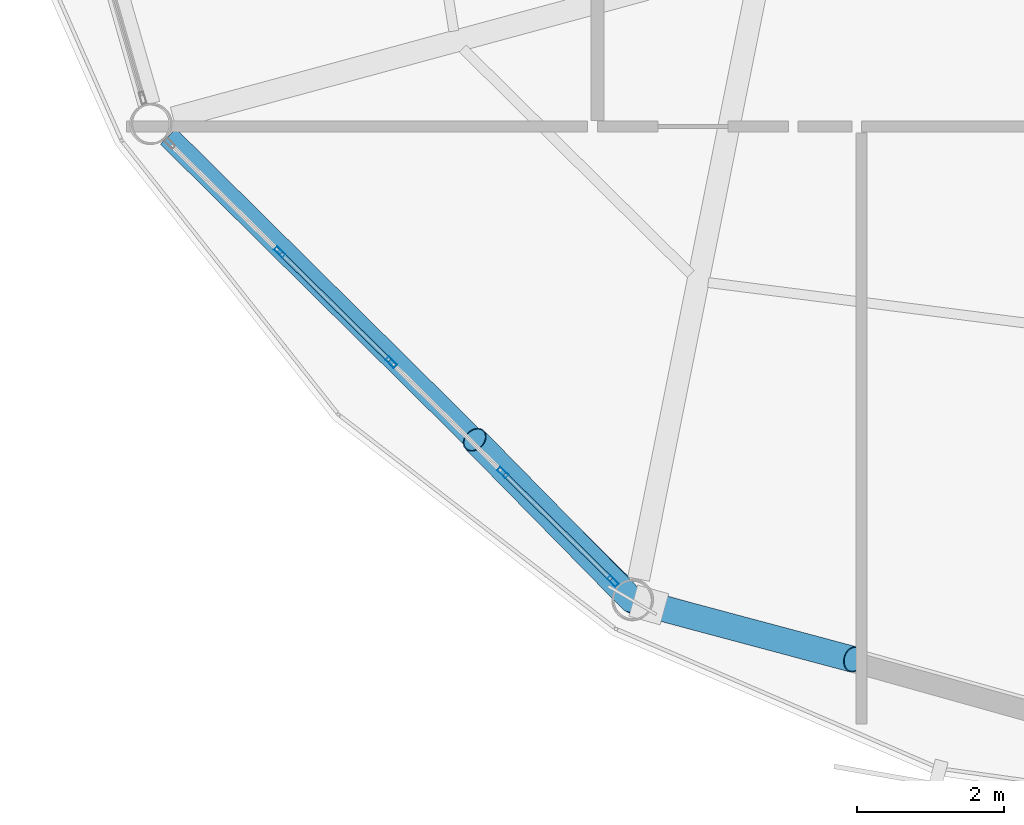
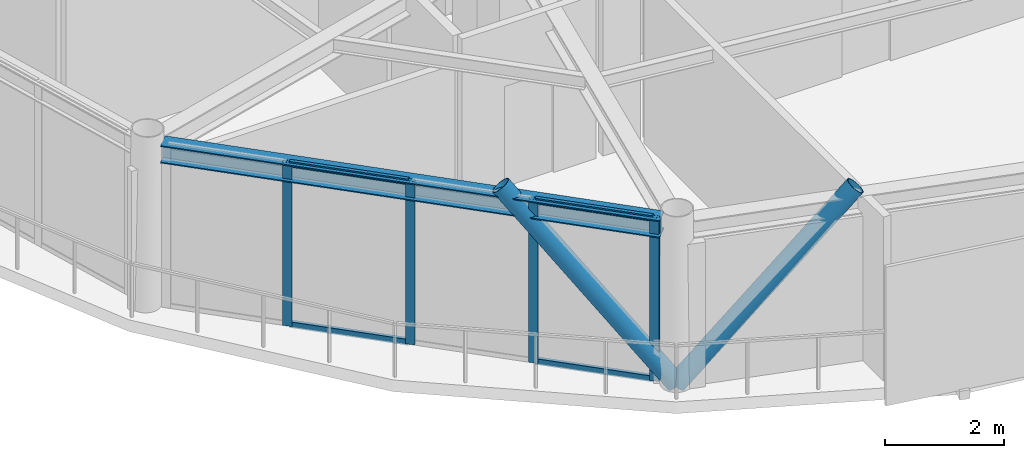
# One storey, part 2 of 26: 10 members, 1 beam, 1 element without a shape of its own.
"""IFC4 building model written with IfcOpenShell, lengths in metres."""

from ifc_helpers import new_model, si_unit, direction, frame, origin, origin_2d, place, context, subcontext, project, spatial, hollow_rectangle, hollow_circle, i_section, extrude, material, layer, layer_set, material_profile, profile_set, type_object, element, aggregate, save


model = new_model("IFC4")

# Units and contexts
model_context = context("Model", 3, precision=1e-05, world=origin(), true_north=direction((0.0, 1.0)))
body_context = subcontext(model_context, "Body", "Model", "MODEL_VIEW")
ifc_project = project(units=[si_unit("LENGTHUNIT", "METRE"), si_unit("AREAUNIT", "SQUARE_METRE"), si_unit("VOLUMEUNIT", "CUBIC_METRE"), si_unit("PLANEANGLEUNIT", "RADIAN"), si_unit("MASSUNIT", "GRAM", prefix="KILO")], contexts=[model_context])

# Site, building, storey
site_placement = place(None, origin())
site = spatial("IfcSite", under=ifc_project, at=site_placement, CompositionType="ELEMENT")
building_placement = place(site_placement, origin())
building = spatial("IfcBuilding", under=site, at=building_placement, Name="Varnakorn Sky Granary", CompositionType="ELEMENT")
storey_placement = place(building_placement, frame((0.0, 0.0, 270.60009765625)))
storey = spatial("IfcBuildingStorey", under=building, at=storey_placement, Name="L69", CompositionType="ELEMENT", Elevation=270.60009765625)

# Beam
ifc_material_1 = material(Name="Steel S355JR", Category="steel")
ifc_material_profile_1 = material_profile(ifc_material_1, i_section(OverallWidth=0.300048828125, OverallDepth=0.360107421875, WebThickness=0.012451171875, FlangeThickness=0.0224609375, at=origin_2d()), Name="HE 360 B")
ifc_profile_set_1 = profile_set([ifc_material_profile_1], Name="Steel S355JR")
beam_type = type_object("IfcBeamType", Name="BM-SPD-Z5", PredefinedType="SPANDREL", material=ifc_profile_set_1)
beam_placement = place(storey_placement, frame((-10.45166015625, -9.035888671875, 3.179931640625), z_axis=(0.710781154111, -0.703413214946, 0.0), x_axis=(0.703413214946, 0.710781154111, 0.0)))
element("IfcBeam", 1, at=beam_placement, inside=storey, type_object=beam_type, Name="Perimeter Spandrel Ring Beam RB08 L69", PredefinedType="SPANDREL", context=body_context, shape_type="SweptSolid", body=[
    extrude(i_section(OverallWidth=0.300048828125, OverallDepth=0.360107421875, WebThickness=0.012451171875, FlangeThickness=0.0224609375, at=origin_2d()), origin(), (0.0, 0.0, 1.0), 8.681396484375),
])

# Curtain wall, members
ifc_material_2 = material(Name="Anodised Bronze Aluminium Alloy 6063-T6", Category="aluminium")
ifc_layer = layer(ifc_material_2, 0.159912109375, Name="Anodised Bronze Aluminium Alloy 6063-T6")
ifc_layer_set = layer_set([ifc_layer], Name="Anodised Bronze Aluminium Alloy 6063-T6")
curtain_wall_type = type_object("IfcCurtainWallType", Name="CW-OFF-1", PredefinedType="USERDEFINED", material=ifc_layer_set)
curtain_wall_placement = place(storey_placement, origin())
curtain_wall = element("IfcCurtainWall", 2, at=curtain_wall_placement, inside=storey, type_object=curtain_wall_type, Name="Unitised Curtain Wall CW6 CW-L69-B08", ObjectType="CURTAIN WALL", PredefinedType="USERDEFINED")
ifc_material_profile_2 = material_profile(ifc_material_2, hollow_rectangle(XDim=0.06494140625, YDim=0.159912109375, WallThickness=0.00341796875, at=origin_2d()), Name="ALU MULL 65x160")
ifc_profile_set_2 = profile_set([ifc_material_profile_2], Name="Anodised Bronze Aluminium Alloy 6063-T6")
member_type_1 = type_object("IfcMemberType", Name="CW-OFF-1-MULL", PredefinedType="MULLION", material=ifc_profile_set_2)
member_1_placement = place(storey_placement, frame((-4.3916015625, -15.0966796875, 0.0), z_axis=(0.0, 0.0, 1.0), x_axis=(-0.702728935419, -0.711457689062, 0.0)))
member_1 = element("IfcMember", 3, at=member_1_placement, type_object=member_type_1, Name="CW6 mullion 1", PredefinedType="MULLION", context=body_context, shape_type="SweptSolid", body=[
    extrude(hollow_rectangle(XDim=0.06494140625, YDim=0.159912109375, WallThickness=0.00341796875, at=origin_2d()), origin(), (0.0, 0.0, 1.0), 3.35986328125),
])
member_2_placement = place(storey_placement, frame((-5.890625, -13.615966796875, 0.0), z_axis=(0.0, 0.0, 1.0), x_axis=(-0.702728935419, -0.711457689062, 0.0)))
member_2 = element("IfcMember", 4, at=member_2_placement, type_object=member_type_1, Name="CW6 mullion 2", PredefinedType="MULLION", context=body_context, shape_type="SweptSolid", body=[
    extrude(hollow_rectangle(XDim=0.06494140625, YDim=0.159912109375, WallThickness=0.00341796875, at=origin_2d()), origin(), (0.0, 0.0, 1.0), 3.35986328125),
])
member_3_placement = place(storey_placement, frame((-7.412841796875, -12.112548828125, 0.0), z_axis=(0.0, 0.0, 1.0), x_axis=(-0.702728935419, -0.711457689062, 0.0)))
member_3 = element("IfcMember", 5, at=member_3_placement, type_object=member_type_1, Name="CW6 mullion 3", PredefinedType="MULLION", context=body_context, shape_type="SweptSolid", body=[
    extrude(hollow_rectangle(XDim=0.06494140625, YDim=0.159912109375, WallThickness=0.00341796875, at=origin_2d()), origin(), (0.0, 0.0, 1.0), 3.35986328125),
])
member_4_placement = place(storey_placement, frame((-8.93505859375, -10.609130859375, 0.0), z_axis=(0.0, 0.0, 1.0), x_axis=(-0.702728935419, -0.711457689062, 0.0)))
member_4 = element("IfcMember", 6, at=member_4_placement, type_object=member_type_1, Name="CW6 mullion 4", PredefinedType="MULLION", context=body_context, shape_type="SweptSolid", body=[
    extrude(hollow_rectangle(XDim=0.06494140625, YDim=0.159912109375, WallThickness=0.00341796875, at=origin_2d()), origin(), (0.0, 0.0, 1.0), 3.35986328125),
])
ifc_material_profile_3 = material_profile(ifc_material_2, hollow_rectangle(XDim=0.06494140625, YDim=0.1201171875, WallThickness=0.00341796875, at=origin_2d()), Name="ALU TRAN 65x120")
ifc_profile_set_3 = profile_set([ifc_material_profile_3], Name="Anodised Bronze Aluminium Alloy 6063-T6")
member_type_2 = type_object("IfcMemberType", Name="CW-OFF-1-TRAN", PredefinedType="USERDEFINED", material=ifc_profile_set_3)
member_5_placement = place(storey_placement, frame((-4.414794921875, -15.07373046875, 0.032470703125), z_axis=(-0.711457716549, 0.70272890759, 0.0), x_axis=(-0.70272890759, -0.711457716549, 0.0)))
member_5 = element("IfcMember", 7, at=member_5_placement, type_object=member_type_2, Name="CW6 transom 1.1", ObjectType="TRANSOM", PredefinedType="USERDEFINED", context=body_context, shape_type="SweptSolid", body=[
    extrude(hollow_rectangle(XDim=0.06494140625, YDim=0.1201171875, WallThickness=0.00341796875, at=origin_2d()), origin(), (0.0, 0.0, 1.0), 2.041748046875),
])
member_6_placement = place(storey_placement, frame((-4.414794921875, -15.07373046875, 3.327392578125), z_axis=(-0.711457716549, 0.70272890759, 0.0), x_axis=(-0.70272890759, -0.711457716549, 0.0)))
member_6 = element("IfcMember", 8, at=member_6_placement, type_object=member_type_2, Name="CW6 transom 1.2", ObjectType="TRANSOM", PredefinedType="USERDEFINED", context=body_context, shape_type="SweptSolid", body=[
    extrude(hollow_rectangle(XDim=0.06494140625, YDim=0.1201171875, WallThickness=0.00341796875, at=origin_2d()), origin(), (0.0, 0.0, 1.0), 2.041748046875),
])
member_7_placement = place(storey_placement, frame((-7.43603515625, -12.089599609375, 0.032470703125), z_axis=(-0.711447975493, 0.702738769506, 0.0), x_axis=(-0.702738769506, -0.711447975493, 0.0)))
member_7 = element("IfcMember", 9, at=member_7_placement, type_object=member_type_2, Name="CW6 transom 3.1", ObjectType="TRANSOM", PredefinedType="USERDEFINED", context=body_context, shape_type="SweptSolid", body=[
    extrude(hollow_rectangle(XDim=0.06494140625, YDim=0.1201171875, WallThickness=0.00341796875, at=origin_2d()), origin(), (0.0, 0.0, 1.0), 2.074462890625),
])
member_8_placement = place(storey_placement, frame((-7.43603515625, -12.089599609375, 3.327392578125), z_axis=(-0.711447975493, 0.702738769506, 0.0), x_axis=(-0.702738769506, -0.711447975493, 0.0)))
member_8 = element("IfcMember", 10, at=member_8_placement, type_object=member_type_2, Name="CW6 transom 3.2", ObjectType="TRANSOM", PredefinedType="USERDEFINED", context=body_context, shape_type="SweptSolid", body=[
    extrude(hollow_rectangle(XDim=0.06494140625, YDim=0.1201171875, WallThickness=0.00341796875, at=origin_2d()), origin(), (0.0, 0.0, 1.0), 2.074462890625),
])
aggregate(curtain_wall, [member_1, member_2, member_3, member_4, member_5, member_6, member_7, member_8])

# Members
ifc_material_3 = material(Name="Steel S460M", Category="steel")
ifc_material_profile_4 = material_profile(ifc_material_3, hollow_circle(Radius=0.177734375, WallThickness=0.01416015625, at=origin_2d()), Name="CHS 355.6x14")
ifc_profile_set_4 = profile_set([ifc_material_profile_4], Name="Steel S460M")
member_type_3 = type_object("IfcMemberType", Name="MB-DIAG-T5", PredefinedType="BRACE", material=ifc_profile_set_4)
member_9_placement = place(storey_placement, frame((-4.126953125, -15.358154296875, 0.0), z_axis=(-0.462363909436, 0.471139312649, 0.751164005612), x_axis=(-0.713722408202, -0.700428671622, 0.0)))
element("IfcMember", 11, at=member_9_placement, inside=storey, type_object=member_type_3, Name="Perimeter CHS Diagrid Brace DG08 L69", PredefinedType="BRACE", context=body_context, shape_type="SweptSolid", body=[
    extrude(hollow_circle(Radius=0.177734375, WallThickness=0.01416015625, at=origin_2d()), origin(), (0.0, 0.0, 1.0), 4.64599609375),
])
member_10_placement = place(storey_placement, frame((-4.126953125, -15.358154296875, 0.0), z_axis=(0.643962402719, -0.172137006347, 0.74544032285), x_axis=(0.258242036384, 0.966080250623, 0.0)))
element("IfcMember", 12, at=member_10_placement, inside=storey, type_object=member_type_3, Name="Perimeter CHS Diagrid Brace DG09 L69", PredefinedType="BRACE", context=body_context, shape_type="SweptSolid", body=[
    extrude(hollow_circle(Radius=0.177734375, WallThickness=0.01416015625, at=origin_2d()), origin(), (0.0, 0.0, 1.0), 4.681884765625),
])

save(model, "model.ifc")
